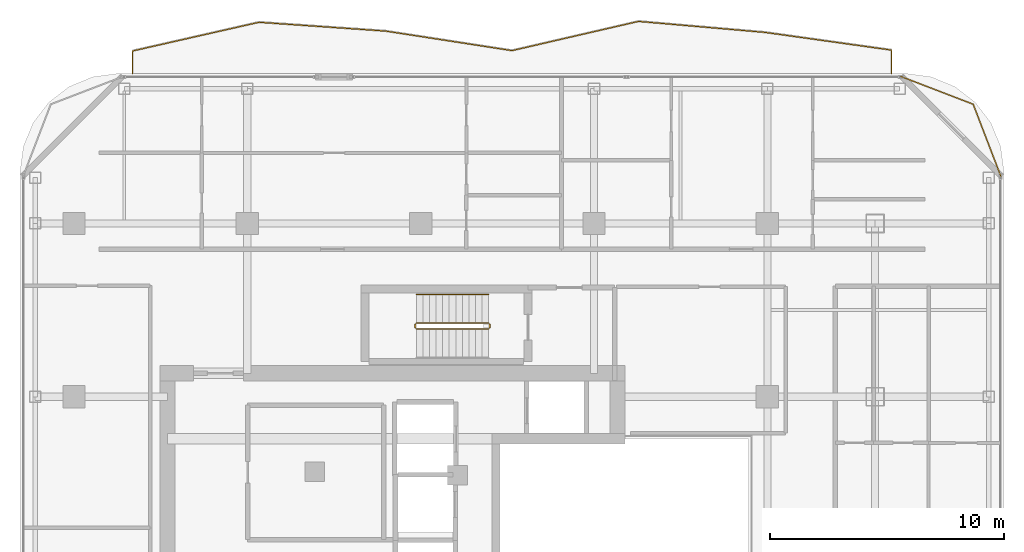
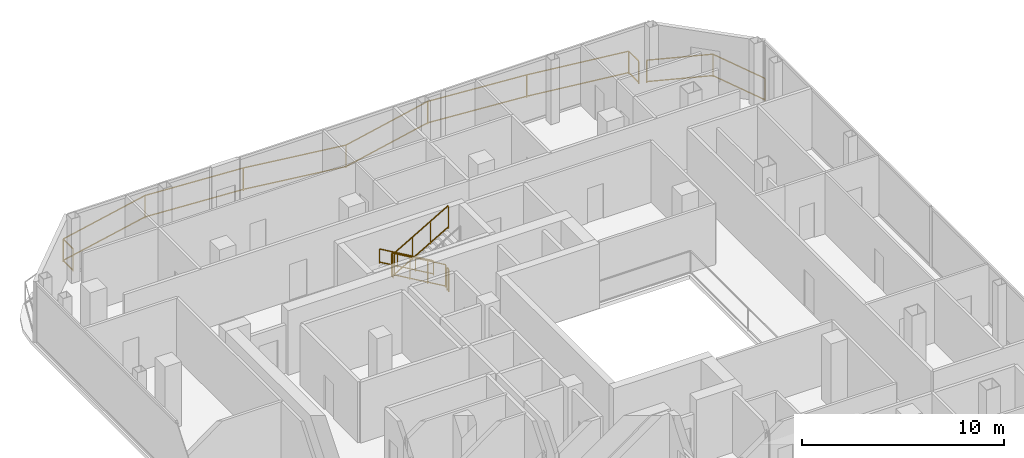
# One storey, part 22 of 22: 7 railings.
"""IFC4 building model written with IfcOpenShell, lengths in metres."""

from ifc_helpers import new_model, si_unit, direction, frame, origin, origin_2d, place, context, subcontext, project, spatial, rectangle, extrude, material, type_object, element, save


model = new_model("IFC4")

# Units and contexts
model_context = context("Model", 3, precision=1e-05, world=origin(), true_north=direction((0.0, 1.0)))
body_context = subcontext(model_context, "Body", "Model", "MODEL_VIEW")
ifc_project = project(units=[si_unit("LENGTHUNIT", "METRE"), si_unit("AREAUNIT", "SQUARE_METRE"), si_unit("VOLUMEUNIT", "CUBIC_METRE"), si_unit("PLANEANGLEUNIT", "RADIAN"), si_unit("MASSUNIT", "GRAM", prefix="KILO")], contexts=[model_context])

# Site, building, storey
site_placement = place(None, origin())
site = spatial("IfcSite", under=ifc_project, at=site_placement, CompositionType="ELEMENT")
building_placement = place(site_placement, origin())
building = spatial("IfcBuilding", under=site, at=building_placement, Name="Khorvyn Point Tower", CompositionType="ELEMENT")
storey_placement = place(building_placement, frame((0.0, 0.0, 278.10009765625)))
storey = spatial("IfcBuildingStorey", under=building, at=storey_placement, Name="L68", CompositionType="ELEMENT", Elevation=278.10009765625)

# Railings
ifc_material_1 = material(Name="Anodised aluminium 6063-T6 and laminated safety glass", Category="aluminium")
railing_type_1 = type_object("IfcRailingType", Name="Laminated Glass and Aluminium Balcony Guardrail 1400", PredefinedType="BALUSTRADE", material=ifc_material_1)
railing_1_placement = place(storey_placement, frame((24.7744140625, 16.78662109375, 0.0)))
element("IfcRailing", 1, at=railing_1_placement, inside=storey, type_object=railing_type_1, Name="L68 Rounded Corner Edge Guardrail NE", PredefinedType="BALUSTRADE", context=body_context, shape_type="SweptSolid", body=[
    extrude(rectangle(XDim=0.048095703125, YDim=0.048095703125, at=origin_2d()), frame((0.0, 0.0, 1.3759765625), z_axis=(-0.358392411044, 0.93357103624, 0.0), x_axis=(-0.93357103624, -0.358392411044, 0.0)), (0.0, 0.0, 1.0), 3.31884765625),
    extrude(rectangle(XDim=0.048095703125, YDim=0.048095703125, at=origin_2d()), frame((0.0, 0.0, 0.080078125), z_axis=(-0.358392411044, 0.93357103624, 0.0), x_axis=(-0.93357103624, -0.358392411044, 0.0)), (0.0, 0.0, 1.0), 3.31884765625),
    extrude(rectangle(XDim=0.048095703125, YDim=0.048095703125, at=origin_2d()), frame((-1.189453125, 3.098388671875, 1.3759765625), z_axis=(-0.93357103624, 0.358392411044, 0.0), x_axis=(-0.358392411044, -0.93357103624, 0.0)), (0.0, 0.0, 1.0), 3.31884765625),
    extrude(rectangle(XDim=0.048095703125, YDim=0.048095703125, at=origin_2d()), frame((-1.189453125, 3.098388671875, 0.080078125), z_axis=(-0.93357103624, 0.358392411044, 0.0), x_axis=(-0.358392411044, -0.93357103624, 0.0)), (0.0, 0.0, 1.0), 3.31884765625),
    extrude(rectangle(XDim=0.0419921875, YDim=0.0419921875, at=origin_2d()), origin(), (0.0, 0.0, 1.0), 1.351806640625),
    extrude(rectangle(XDim=0.0419921875, YDim=0.0419921875, at=origin_2d()), frame((-1.189453125, 3.098388671875, 0.0)), (0.0, 0.0, 1.0), 1.351806640625),
    extrude(rectangle(XDim=0.0419921875, YDim=0.0419921875, at=origin_2d()), frame((-4.287841796875, 4.287841796875, 0.0)), (0.0, 0.0, 1.0), 1.351806640625),
])
railing_2_placement = place(storey_placement, frame((20.10009765625, 21.199951171875, 0.0)))
element("IfcRailing", 2, at=railing_2_placement, inside=storey, type_object=railing_type_1, Name="L68 North Balcony Guardrail", PredefinedType="BALUSTRADE", context=body_context, shape_type="SweptSolid", body=[
    extrude(rectangle(XDim=0.048095703125, YDim=0.048095703125, at=origin_2d()), frame((0.0, 0.0, 1.3759765625), z_axis=(0.0, 1.0, 0.0), x_axis=(-1.0, 0.0, 0.0)), (0.0, 0.0, 1.0), 0.995361328125),
    extrude(rectangle(XDim=0.048095703125, YDim=0.048095703125, at=origin_2d()), frame((0.0, 0.0, 0.080078125), z_axis=(0.0, 1.0, 0.0), x_axis=(-1.0, 0.0, 0.0)), (0.0, 0.0, 1.0), 0.995361328125),
    extrude(rectangle(XDim=0.048095703125, YDim=0.048095703125, at=origin_2d()), frame((0.0, 0.995361328125, 1.3759765625), z_axis=(-0.990321202679, 0.138794508265, 0.0), x_axis=(-0.138794508265, -0.990321202679, 0.0)), (0.0, 0.0, 1.0), 5.452880859375),
    extrude(rectangle(XDim=0.048095703125, YDim=0.048095703125, at=origin_2d()), frame((0.0, 0.995361328125, 0.080078125), z_axis=(-0.990321202679, 0.138794508265, 0.0), x_axis=(-0.138794508265, -0.990321202679, 0.0)), (0.0, 0.0, 1.0), 5.452880859375),
    extrude(rectangle(XDim=0.048095703125, YDim=0.048095703125, at=origin_2d()), frame((-5.400146484375, 1.752197265625, 1.3759765625), z_axis=(-0.996253422429, 0.086481895789, 0.0), x_axis=(-0.086481895789, -0.996253422429, 0.0)), (0.0, 0.0, 1.0), 5.420166015625),
    extrude(rectangle(XDim=0.048095703125, YDim=0.048095703125, at=origin_2d()), frame((-5.400146484375, 1.752197265625, 0.080078125), z_axis=(-0.996253422429, 0.086481895789, 0.0), x_axis=(-0.086481895789, -0.996253422429, 0.0)), (0.0, 0.0, 1.0), 5.420166015625),
    extrude(rectangle(XDim=0.048095703125, YDim=0.048095703125, at=origin_2d()), frame((-10.800048828125, 2.220947265625, 1.3759765625), z_axis=(-0.974365946798, -0.22496889056, 0.0), x_axis=(0.22496889056, -0.974365946798, 0.0)), (0.0, 0.0, 1.0), 5.542236328125),
    extrude(rectangle(XDim=0.048095703125, YDim=0.048095703125, at=origin_2d()), frame((-10.800048828125, 2.220947265625, 0.080078125), z_axis=(-0.974365946798, -0.22496889056, 0.0), x_axis=(0.22496889056, -0.974365946798, 0.0)), (0.0, 0.0, 1.0), 5.542236328125),
    extrude(rectangle(XDim=0.048095703125, YDim=0.048095703125, at=origin_2d()), frame((-16.2001953125, 0.97412109375, 1.3759765625), z_axis=(-0.988275939856, 0.152678311171, 0.0), x_axis=(-0.152678311171, -0.988275939856, 0.0)), (0.0, 0.0, 1.0), 5.4638671875),
    extrude(rectangle(XDim=0.048095703125, YDim=0.048095703125, at=origin_2d()), frame((-16.2001953125, 0.97412109375, 0.080078125), z_axis=(-0.988275939856, 0.152678311171, 0.0), x_axis=(-0.152678311171, -0.988275939856, 0.0)), (0.0, 0.0, 1.0), 5.4638671875),
    extrude(rectangle(XDim=0.048095703125, YDim=0.048095703125, at=origin_2d()), frame((-21.60009765625, 1.808349609375, 1.3759765625), z_axis=(-0.997597334379, 0.069278845538, 0.0), x_axis=(-0.069278845538, -0.997597334379, 0.0)), (0.0, 0.0, 1.0), 5.412841796875),
    extrude(rectangle(XDim=0.048095703125, YDim=0.048095703125, at=origin_2d()), frame((-21.60009765625, 1.808349609375, 0.080078125), z_axis=(-0.997597334379, 0.069278845538, 0.0), x_axis=(-0.069278845538, -0.997597334379, 0.0)), (0.0, 0.0, 1.0), 5.412841796875),
    extrude(rectangle(XDim=0.048095703125, YDim=0.048095703125, at=origin_2d()), frame((-27.0, 2.183349609375, 1.3759765625), z_axis=(-0.975180905151, -0.221409580255, 0.0), x_axis=(0.221409580255, -0.975180905151, 0.0)), (0.0, 0.0, 1.0), 5.53759765625),
    extrude(rectangle(XDim=0.048095703125, YDim=0.048095703125, at=origin_2d()), frame((-27.0, 2.183349609375, 0.080078125), z_axis=(-0.975180905151, -0.221409580255, 0.0), x_axis=(0.221409580255, -0.975180905151, 0.0)), (0.0, 0.0, 1.0), 5.53759765625),
    extrude(rectangle(XDim=0.048095703125, YDim=0.048095703125, at=origin_2d()), frame((-32.400146484375, 0.957275390625, 1.3759765625), z_axis=(0.0, -1.0, 0.0), x_axis=(1.0, 0.0, 0.0)), (0.0, 0.0, 1.0), 0.957275390625),
    extrude(rectangle(XDim=0.048095703125, YDim=0.048095703125, at=origin_2d()), frame((-32.400146484375, 0.957275390625, 0.080078125), z_axis=(0.0, -1.0, 0.0), x_axis=(1.0, 0.0, 0.0)), (0.0, 0.0, 1.0), 0.957275390625),
    extrude(rectangle(XDim=0.0419921875, YDim=0.0419921875, at=origin_2d()), origin(), (0.0, 0.0, 1.0), 1.351806640625),
    extrude(rectangle(XDim=0.0419921875, YDim=0.0419921875, at=origin_2d()), frame((0.0, 0.995361328125, 0.0)), (0.0, 0.0, 1.0), 1.351806640625),
    extrude(rectangle(XDim=0.0419921875, YDim=0.0419921875, at=origin_2d()), frame((-5.400146484375, 1.752197265625, 0.0)), (0.0, 0.0, 1.0), 1.351806640625),
    extrude(rectangle(XDim=0.0419921875, YDim=0.0419921875, at=origin_2d()), frame((-10.800048828125, 2.220947265625, 0.0)), (0.0, 0.0, 1.0), 1.351806640625),
    extrude(rectangle(XDim=0.0419921875, YDim=0.0419921875, at=origin_2d()), frame((-16.2001953125, 0.97412109375, 0.0)), (0.0, 0.0, 1.0), 1.351806640625),
    extrude(rectangle(XDim=0.0419921875, YDim=0.0419921875, at=origin_2d()), frame((-21.60009765625, 1.808349609375, 0.0)), (0.0, 0.0, 1.0), 1.351806640625),
    extrude(rectangle(XDim=0.0419921875, YDim=0.0419921875, at=origin_2d()), frame((-27.0, 2.183349609375, 0.0)), (0.0, 0.0, 1.0), 1.351806640625),
    extrude(rectangle(XDim=0.0419921875, YDim=0.0419921875, at=origin_2d()), frame((-32.400146484375, 0.957275390625, 0.0)), (0.0, 0.0, 1.0), 1.351806640625),
    extrude(rectangle(XDim=0.0419921875, YDim=0.0419921875, at=origin_2d()), frame((-32.400146484375, 0.0, 0.0)), (0.0, 0.0, 1.0), 1.351806640625),
])
ifc_material_2 = material(Name="Stainless steel 1.4301", Category="steel")
railing_type_2 = type_object("IfcRailingType", Name="Stainless Steel 304 Stair Pitch Handrail 900", PredefinedType="HANDRAIL", material=ifc_material_2)
railing_3_placement = place(storey_placement, frame((2.89990234375, 11.77001953125, 0.162353515625)))
element("IfcRailing", 3, at=railing_3_placement, inside=storey, type_object=railing_type_2, Name="L68 ST-02 stair handrail 1", PredefinedType="HANDRAIL", context=body_context, shape_type="SweptSolid", body=[
    extrude(rectangle(XDim=0.048095703125, YDim=0.048095703125, at=origin_2d()), frame((0.0, 0.0, 0.8759765625), z_axis=(-0.864873446163, 0.0, 0.501989962173), x_axis=(0.0, -1.0, 0.0)), (0.0, 0.0, 1.0), 3.56103515625),
    extrude(rectangle(XDim=0.048095703125, YDim=0.048095703125, at=origin_2d()), frame((0.0, 0.0, 0.080078125), z_axis=(-0.864873446163, 0.0, 0.501989962173), x_axis=(0.0, -1.0, 0.0)), (0.0, 0.0, 1.0), 3.56103515625),
    extrude(rectangle(XDim=0.0419921875, YDim=0.0419921875, at=origin_2d()), origin(), (0.0, 0.0, 1.0), 0.851806640625),
    extrude(rectangle(XDim=0.0419921875, YDim=0.0419921875, at=origin_2d()), frame((-1.026611328125, 0.0, 0.595947265625)), (0.0, 0.0, 1.0), 0.851806640625),
    extrude(rectangle(XDim=0.0419921875, YDim=0.0419921875, at=origin_2d()), frame((-2.05322265625, 0.0, 1.191650390625)), (0.0, 0.0, 1.0), 0.851806640625),
    extrude(rectangle(XDim=0.0419921875, YDim=0.0419921875, at=origin_2d()), frame((-3.079833984375, 0.0, 1.78759765625)), (0.0, 0.0, 1.0), 0.851806640625),
])
railing_type_3 = type_object("IfcRailingType", Name="Stainless Steel 304 Stair Well Guardrail 1400", PredefinedType="GUARDRAIL", material=ifc_material_2)
railing_4_placement = place(storey_placement, frame((2.89990234375, 10.550048828125, 0.162353515625)))
element("IfcRailing", 4, at=railing_4_placement, inside=storey, type_object=railing_type_3, Name="L68 ST-02 stair guard 1", PredefinedType="GUARDRAIL", context=body_context, shape_type="SweptSolid", body=[
    extrude(rectangle(XDim=0.048095703125, YDim=0.048095703125, at=origin_2d()), frame((0.0, 0.0, 1.3759765625), z_axis=(-0.864873446163, 0.0, 0.501989962173), x_axis=(0.0, -1.0, 0.0)), (0.0, 0.0, 1.0), 3.56103515625),
    extrude(rectangle(XDim=0.048095703125, YDim=0.048095703125, at=origin_2d()), frame((0.0, 0.0, 0.080078125), z_axis=(-0.864873446163, 0.0, 0.501989962173), x_axis=(0.0, -1.0, 0.0)), (0.0, 0.0, 1.0), 3.56103515625),
    extrude(rectangle(XDim=0.0419921875, YDim=0.0419921875, at=origin_2d()), origin(), (0.0, 0.0, 1.0), 1.351806640625),
    extrude(rectangle(XDim=0.0419921875, YDim=0.0419921875, at=origin_2d()), frame((-1.026611328125, 0.0, 0.595947265625)), (0.0, 0.0, 1.0), 1.351806640625),
    extrude(rectangle(XDim=0.0419921875, YDim=0.0419921875, at=origin_2d()), frame((-2.05322265625, 0.0, 1.191650390625)), (0.0, 0.0, 1.0), 1.351806640625),
    extrude(rectangle(XDim=0.0419921875, YDim=0.0419921875, at=origin_2d()), frame((-3.079833984375, 0.0, 1.78759765625)), (0.0, 0.0, 1.0), 1.351806640625),
])
railing_5_placement = place(storey_placement, frame((-0.22998046875, 10.5, 1.949951171875)))
element("IfcRailing", 5, at=railing_5_placement, inside=storey, type_object=railing_type_3, Name="L68 ST-02 stair guard 2", PredefinedType="GUARDRAIL", context=body_context, shape_type="SweptSolid", body=[
    extrude(rectangle(XDim=0.048095703125, YDim=0.048095703125, at=origin_2d()), frame((0.0, 0.0, 1.3759765625), z_axis=(0.0, -1.0, 0.0), x_axis=(1.0, 0.0, 0.0)), (0.0, 0.0, 1.0), 0.159912109375),
    extrude(rectangle(XDim=0.048095703125, YDim=0.048095703125, at=origin_2d()), frame((0.0, 0.0, 0.080078125), z_axis=(0.0, -1.0, 0.0), x_axis=(1.0, 0.0, 0.0)), (0.0, 0.0, 1.0), 0.159912109375),
    extrude(rectangle(XDim=0.0419921875, YDim=0.0419921875, at=origin_2d()), origin(), (0.0, 0.0, 1.0), 1.351806640625),
    extrude(rectangle(XDim=0.0419921875, YDim=0.0419921875, at=origin_2d()), frame((0.0, -0.159912109375, 0.0)), (0.0, 0.0, 1.0), 1.351806640625),
])
railing_6_placement = place(storey_placement, frame((-0.179931640625, 10.2900390625, 2.1123046875)))
element("IfcRailing", 6, at=railing_6_placement, inside=storey, type_object=railing_type_3, Name="L68 ST-02 stair guard 3", PredefinedType="GUARDRAIL", context=body_context, shape_type="SweptSolid", body=[
    extrude(rectangle(XDim=0.048095703125, YDim=0.048095703125, at=origin_2d()), frame((0.0, 0.0, 1.3759765625), z_axis=(0.864873446163, 0.0, 0.501989962173), x_axis=(0.0, 1.0, 0.0)), (0.0, 0.0, 1.0), 3.56103515625),
    extrude(rectangle(XDim=0.048095703125, YDim=0.048095703125, at=origin_2d()), frame((0.0, 0.0, 0.080078125), z_axis=(0.864873446163, 0.0, 0.501989962173), x_axis=(0.0, 1.0, 0.0)), (0.0, 0.0, 1.0), 3.56103515625),
    extrude(rectangle(XDim=0.0419921875, YDim=0.0419921875, at=origin_2d()), origin(), (0.0, 0.0, 1.0), 1.351806640625),
    extrude(rectangle(XDim=0.0419921875, YDim=0.0419921875, at=origin_2d()), frame((1.026611328125, 0.0, 0.595947265625)), (0.0, 0.0, 1.0), 1.351806640625),
    extrude(rectangle(XDim=0.0419921875, YDim=0.0419921875, at=origin_2d()), frame((2.05322265625, 0.0, 1.191650390625)), (0.0, 0.0, 1.0), 1.351806640625),
    extrude(rectangle(XDim=0.0419921875, YDim=0.0419921875, at=origin_2d()), frame((3.079833984375, 0.0, 1.78759765625)), (0.0, 0.0, 1.0), 1.351806640625),
])
railing_7_placement = place(storey_placement, frame((2.949951171875, 10.5, 0.0)))
element("IfcRailing", 7, at=railing_7_placement, inside=storey, type_object=railing_type_3, Name="L68 ST-02 stair guard 4", PredefinedType="GUARDRAIL", context=body_context, shape_type="SweptSolid", body=[
    extrude(rectangle(XDim=0.048095703125, YDim=0.048095703125, at=origin_2d()), frame((0.0, 0.0, 1.3759765625), z_axis=(0.0, -1.0, 0.0), x_axis=(1.0, 0.0, 0.0)), (0.0, 0.0, 1.0), 0.159912109375),
    extrude(rectangle(XDim=0.048095703125, YDim=0.048095703125, at=origin_2d()), frame((0.0, 0.0, 0.080078125), z_axis=(0.0, -1.0, 0.0), x_axis=(1.0, 0.0, 0.0)), (0.0, 0.0, 1.0), 0.159912109375),
    extrude(rectangle(XDim=0.0419921875, YDim=0.0419921875, at=origin_2d()), origin(), (0.0, 0.0, 1.0), 1.351806640625),
    extrude(rectangle(XDim=0.0419921875, YDim=0.0419921875, at=origin_2d()), frame((0.0, -0.159912109375, 0.0)), (0.0, 0.0, 1.0), 1.351806640625),
])

save(model, "model.ifc")
